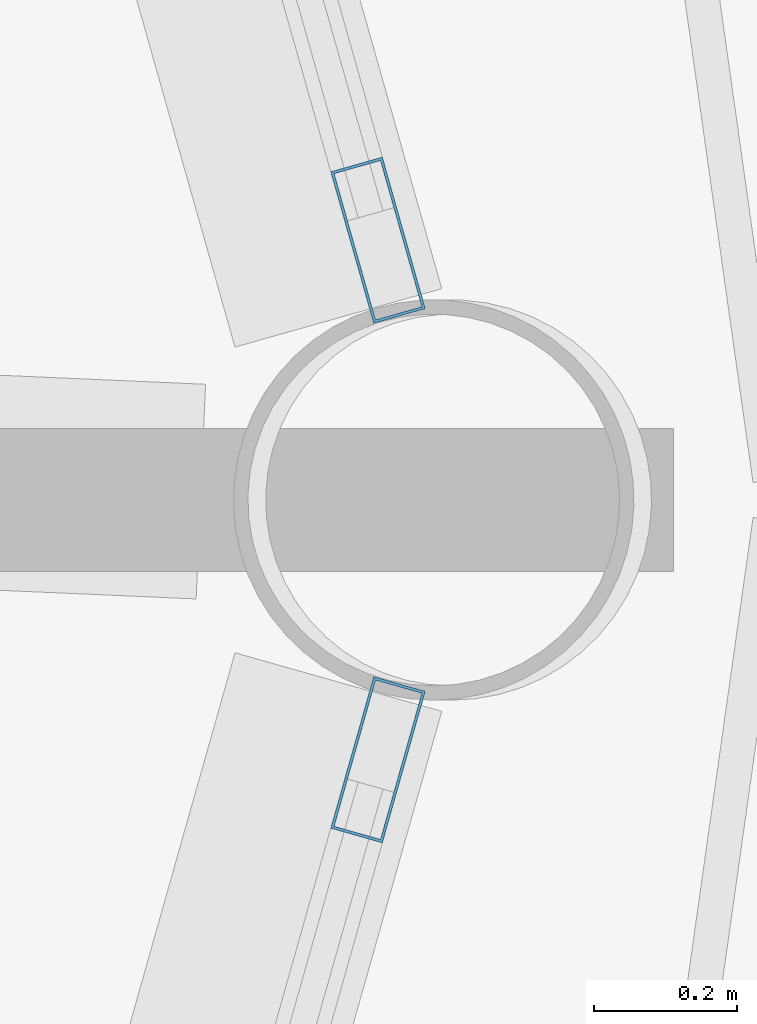
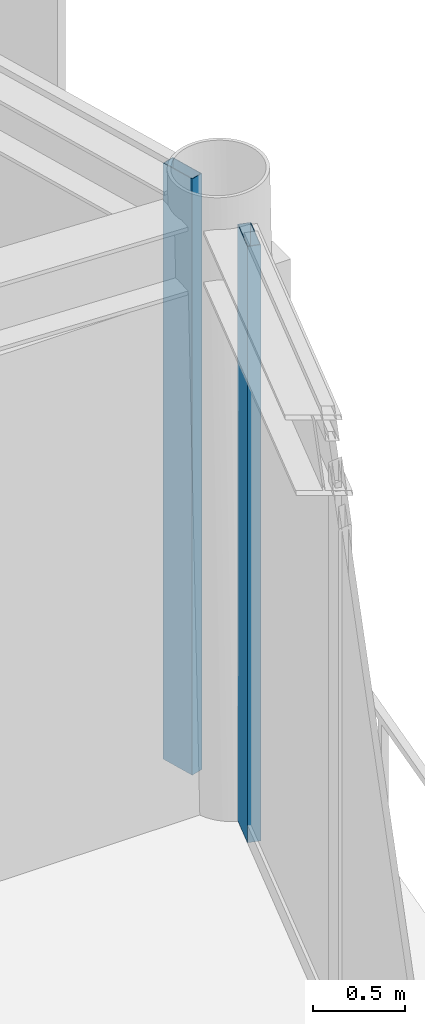
# One storey, part 9 of 13: 2 members, 2 elements without a shape of their own.
"""IFC4 building model written with IfcOpenShell, lengths in metres."""

from ifc_helpers import new_model, si_unit, direction, frame, origin, origin_2d, place, context, subcontext, project, spatial, hollow_rectangle, extrude, material, layer, layer_set, material_profile, profile_set, type_object, element, aggregate, save


model = new_model("IFC4")

# Units and contexts
model_context = context("Model", 3, precision=1e-05, world=origin(), true_north=direction((0.0, 1.0)))
body_context = subcontext(model_context, "Body", "Model", "MODEL_VIEW")
ifc_project = project(units=[si_unit("LENGTHUNIT", "METRE"), si_unit("AREAUNIT", "SQUARE_METRE"), si_unit("VOLUMEUNIT", "CUBIC_METRE"), si_unit("PLANEANGLEUNIT", "RADIAN"), si_unit("MASSUNIT", "GRAM", prefix="KILO")], contexts=[model_context])

# Site, building, storey
site_placement = place(None, origin())
site = spatial("IfcSite", under=ifc_project, at=site_placement, CompositionType="ELEMENT")
building_placement = place(site_placement, origin())
building = spatial("IfcBuilding", under=site, at=building_placement, Name="Varnakorn Sky Granary", CompositionType="ELEMENT")
storey_placement = place(building_placement, frame((0.0, 0.0, 315.0)))
storey = spatial("IfcBuildingStorey", under=building, at=storey_placement, Name="L80", CompositionType="ELEMENT", Elevation=315.0)

# Curtain wall, member
ifc_material = material(Name="Anodised Bronze Aluminium Alloy 6063-T6", Category="aluminium")
ifc_layer = layer(ifc_material, 0.22998046875, Name="Anodised Bronze Aluminium Alloy 6063-T6")
ifc_layer_set = layer_set([ifc_layer], Name="Anodised Bronze Aluminium Alloy 6063-T6")
curtain_wall_type = type_object("IfcCurtainWallType", Name="CW-LNT-1", PredefinedType="USERDEFINED", material=ifc_layer_set)
curtain_wall_1_placement = place(storey_placement, origin())
curtain_wall_1 = element("IfcCurtainWall", 1, at=curtain_wall_1_placement, inside=storey, type_object=curtain_wall_type, Name="Unitised Curtain Wall CW7 CW-L80-B01", ObjectType="CURTAIN WALL", PredefinedType="USERDEFINED")
ifc_material_profile = material_profile(ifc_material, hollow_rectangle(XDim=0.074951171875, YDim=0.219970703125, WallThickness=0.00390625, at=origin_2d()), Name="ALU MULL 75x220")
ifc_profile_set = profile_set([ifc_material_profile], Name="Anodised Bronze Aluminium Alloy 6063-T6")
member_type = type_object("IfcMemberType", Name="CW-LNT-1-MULL", PredefinedType="MULLION", material=ifc_profile_set)
member_1_placement = place(storey_placement, frame((21.9833984375, 0.36279296875, 0.0), z_axis=(0.0, 0.0, 1.0), x_axis=(0.962170396293, 0.272448396027, 0.0)))
member_1 = element("IfcMember", 2, at=member_1_placement, type_object=member_type, Name="CW7 mullion 5", PredefinedType="MULLION", context=body_context, shape_type="SweptSolid", body=[
    extrude(hollow_rectangle(XDim=0.074951171875, YDim=0.219970703125, WallThickness=0.00390625, at=origin_2d()), origin(), (0.0, 0.0, 1.0), 3.9599609375),
])
aggregate(curtain_wall_1, [member_1])

curtain_wall_2_placement = place(storey_placement, origin())
curtain_wall_2 = element("IfcCurtainWall", 3, at=curtain_wall_2_placement, inside=storey, type_object=curtain_wall_type, Name="Unitised Curtain Wall CW7 CW-L80-B12", ObjectType="CURTAIN WALL", PredefinedType="USERDEFINED")
member_2_placement = place(storey_placement, frame((21.9833984375, -0.36279296875, 0.0), z_axis=(0.0, 0.0, 1.0), x_axis=(0.962170396293, -0.272448396027, 0.0)))
member_2 = element("IfcMember", 4, at=member_2_placement, type_object=member_type, Name="CW7 mullion 1", PredefinedType="MULLION", context=body_context, shape_type="SweptSolid", body=[
    extrude(hollow_rectangle(XDim=0.074951171875, YDim=0.219970703125, WallThickness=0.00390625, at=origin_2d()), origin(), (0.0, 0.0, 1.0), 3.9599609375),
])
aggregate(curtain_wall_2, [member_2])

save(model, "model.ifc")
